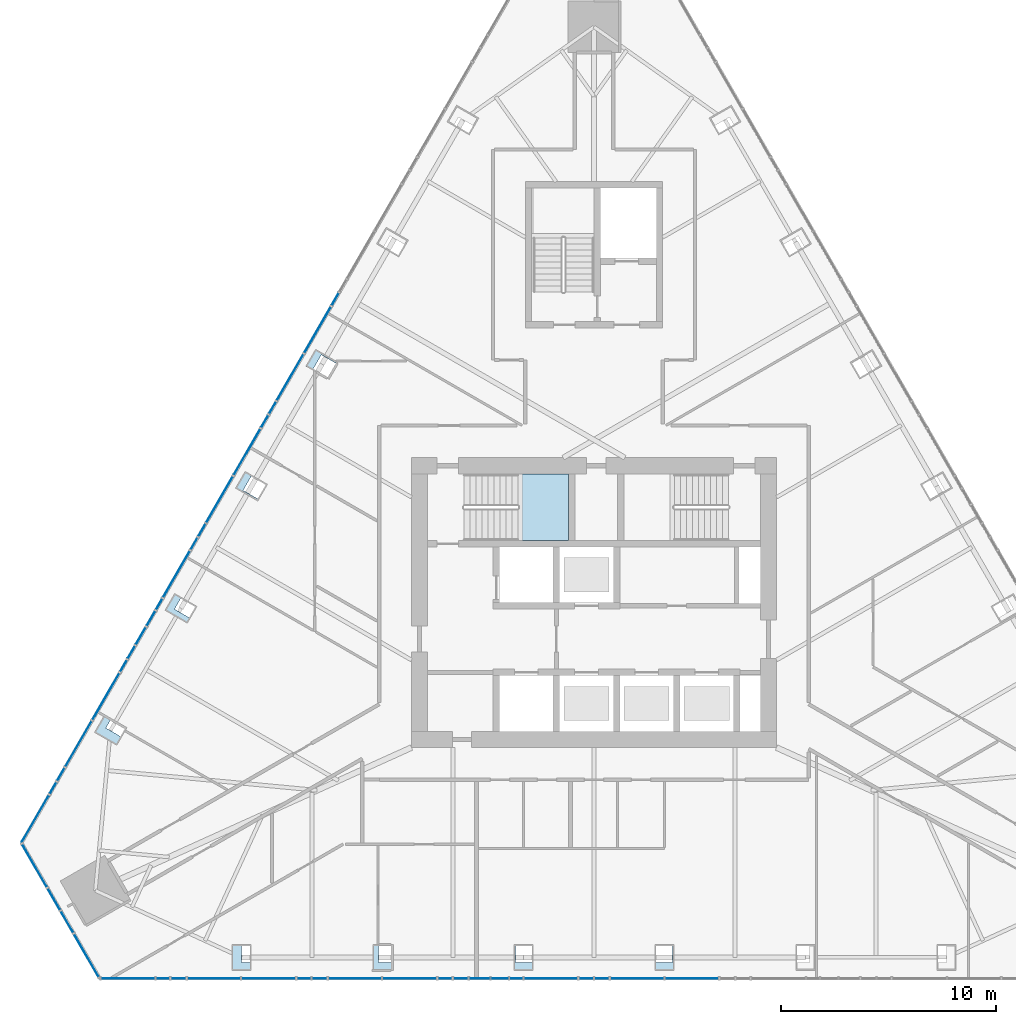
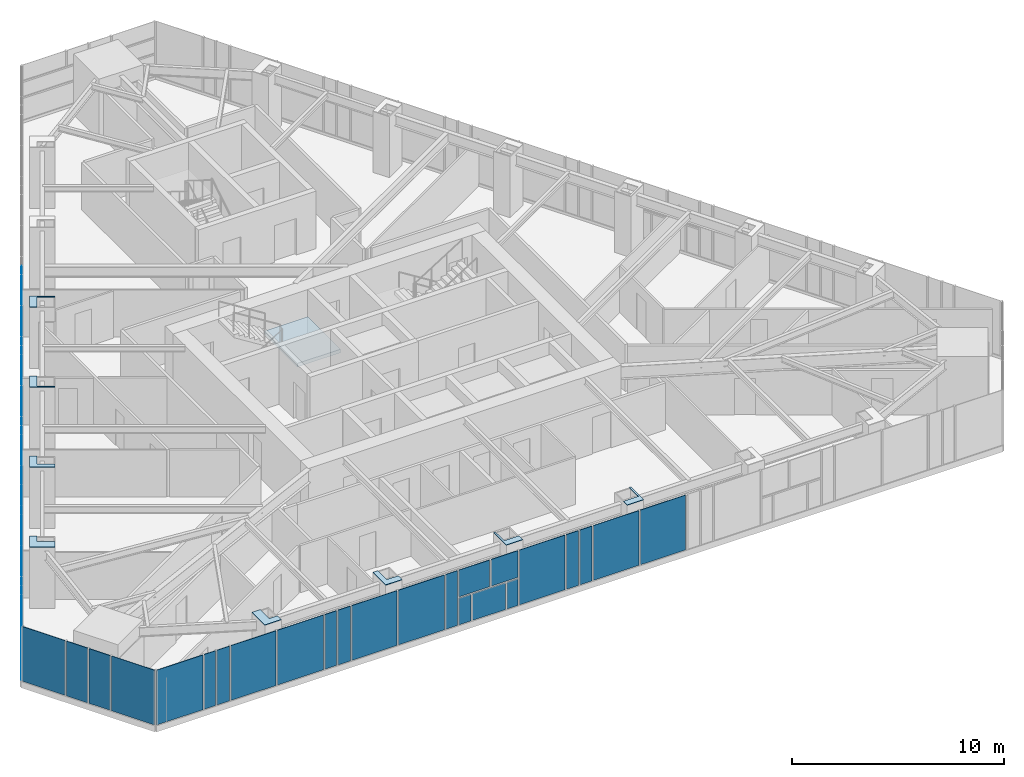
# One storey, part 11 of 20: 53 plates, 1 slab, 4 elements without a shape of their own.
"""IFC4 building model written with IfcOpenShell, lengths in metres."""

from ifc_helpers import new_model, si_unit, direction, frame, origin, place, context, subcontext, project, spatial, polyline, outline, extrude, material, layer, layer_set, type_object, element, aggregate, save


model = new_model("IFC4")

# Units and contexts
model_context = context("Model", 3, precision=1e-05, world=origin(), true_north=direction((0.0, 1.0)))
body_context = subcontext(model_context, "Body", "Model", "MODEL_VIEW")
ifc_project = project(units=[si_unit("LENGTHUNIT", "METRE"), si_unit("AREAUNIT", "SQUARE_METRE"), si_unit("VOLUMEUNIT", "CUBIC_METRE"), si_unit("PLANEANGLEUNIT", "RADIAN"), si_unit("MASSUNIT", "GRAM", prefix="KILO")], contexts=[model_context])

# Site, building, storey
site_placement = place(None, origin())
site = spatial("IfcSite", under=ifc_project, at=site_placement, CompositionType="ELEMENT")
building_placement = place(site_placement, origin())
building = spatial("IfcBuilding", under=site, at=building_placement, Name="Firuza Gate Tower and Library", CompositionType="ELEMENT")
storey_placement = place(building_placement, frame((0.0, 0.0, 277.60009765625)))
storey = spatial("IfcBuildingStorey", under=building, at=storey_placement, Name="L66", CompositionType="ELEMENT", Elevation=277.60009765625)

# Plates
ifc_material_1 = material(Name="Steel S355", Category="steel")
ifc_layer_1 = layer(ifc_material_1, 0.030029296875)
ifc_layer_set_1 = layer_set([ifc_layer_1], Name="Column infill plate 30 Steel S355")
plate_type_1 = type_object("IfcPlateType", Name="Column infill plate 30 Steel S355", PredefinedType="SHEET", material=ifc_layer_set_1)
placement_1 = place(storey_placement, frame((0.0, 0.0, 3.5)))
element("IfcPlate", 1, at=placement_1, inside=storey, type_object=plate_type_1, Name="Infill plate L66:S1", PredefinedType="SHEET", context=body_context, shape_type="SweptSolid", body=[
    extrude(outline(polyline([(59.03662109375, 57.876220703125), (59.03662109375, 58.23193359375), (58.57666015625, 58.23193359375), (58.57666015625, 59.076416015625), (58.13671875, 59.076416015625), (58.13671875, 57.876220703125), (59.03662109375, 57.876220703125)])), origin(), (0.0, 0.0, 1.0), 0.02978515625),
])
element("IfcPlate", 2, at=placement_1, inside=storey, type_object=plate_type_1, Name="Infill plate L66:S2", PredefinedType="SHEET", context=body_context, shape_type="SweptSolid", body=[
    extrude(outline(polyline([(65.60205078125, 57.876220703125), (65.60205078125, 58.23193359375), (64.966064453125, 58.23193359375), (64.966064453125, 59.076416015625), (64.701904296875, 59.076416015625), (64.701904296875, 57.876220703125), (65.60205078125, 57.876220703125)])), origin(), (0.0, 0.0, 1.0), 0.02978515625),
])
element("IfcPlate", 3, at=placement_1, inside=storey, type_object=plate_type_1, Name="Infill plate L66:S3", PredefinedType="SHEET", context=body_context, shape_type="SweptSolid", body=[
    extrude(outline(polyline([(72.167236328125, 57.876220703125), (72.167236328125, 58.23193359375), (71.355224609375, 58.23193359375), (71.355224609375, 59.076416015625), (71.267333984375, 59.076416015625), (71.267333984375, 57.876220703125), (72.167236328125, 57.876220703125)])), origin(), (0.0, 0.0, 1.0), 0.02978515625),
])
element("IfcPlate", 4, at=placement_1, inside=storey, type_object=plate_type_1, Name="Infill plate L66:S4", PredefinedType="SHEET", context=body_context, shape_type="SweptSolid", body=[
    extrude(outline(polyline([(78.732666015625, 59.076416015625), (78.644775390625, 59.076416015625), (78.644775390625, 58.23193359375), (77.832763671875, 58.23193359375), (77.832763671875, 57.876220703125), (78.732666015625, 57.876220703125), (78.732666015625, 59.076416015625)])), origin(), (0.0, 0.0, 1.0), 0.02978515625),
])
element("IfcPlate", 5, at=placement_1, inside=storey, type_object=plate_type_1, Name="Infill plate L66:W3", PredefinedType="SHEET", context=body_context, shape_type="SweptSolid", body=[
    extrude(outline(polyline([(61.5869140625, 86.014892578125), (61.894775390625, 85.837158203125), (62.30078125, 86.540283203125), (63.031982421875, 86.1181640625), (63.075927734375, 86.1943359375), (62.036865234375, 86.79443359375), (61.5869140625, 86.014892578125)])), origin(), (0.0, 0.0, 1.0), 0.02978515625),
])
element("IfcPlate", 6, at=placement_1, inside=storey, type_object=plate_type_1, Name="Infill plate L66:W4", PredefinedType="SHEET", context=body_context, shape_type="SweptSolid", body=[
    extrude(outline(polyline([(59.34326171875, 79.729248046875), (59.387451171875, 79.805419921875), (58.65625, 80.2275390625), (59.062255859375, 80.930908203125), (58.754150390625, 81.108642578125), (58.30419921875, 80.329345703125), (59.34326171875, 79.729248046875)])), origin(), (0.0, 0.0, 1.0), 0.02978515625),
])
element("IfcPlate", 7, at=placement_1, inside=storey, type_object=plate_type_1, Name="Infill plate L66:W5", PredefinedType="SHEET", context=body_context, shape_type="SweptSolid", body=[
    extrude(outline(polyline([(56.060791015625, 74.04345703125), (56.192626953125, 74.272216796875), (55.46142578125, 74.6943359375), (55.779541015625, 75.2451171875), (55.471435546875, 75.4228515625), (55.021484375, 74.6435546875), (56.060791015625, 74.04345703125)])), origin(), (0.0, 0.0, 1.0), 0.02978515625),
])
element("IfcPlate", 8, at=placement_1, inside=storey, type_object=plate_type_1, Name="Infill plate L66:W6", PredefinedType="SHEET", context=body_context, shape_type="SweptSolid", body=[
    extrude(outline(polyline([(52.778076171875, 68.357666015625), (52.998046875, 68.73876953125), (52.266845703125, 69.160888671875), (52.496826171875, 69.559326171875), (52.188720703125, 69.737060546875), (51.73876953125, 68.957763671875), (52.778076171875, 68.357666015625)])), origin(), (0.0, 0.0, 1.0), 0.02978515625),
])

# Curtain wall, plates
ifc_material_2 = material(Name="Aluminium 6063-T6", Category="aluminium")
ifc_layer_2 = layer(ifc_material_2, 0.14990234375)
ifc_layer_set_2 = layer_set([ifc_layer_2], Name="Corner curtain wall, chamfers")
curtain_wall_type_1 = type_object("IfcCurtainWallType", Name="Corner curtain wall, chamfers", PredefinedType="NOTDEFINED", material=ifc_layer_set_2)
placement_2 = place(storey_placement, origin())
curtain_wall_1 = element("IfcCurtainWall", 9, at=placement_2, inside=storey, type_object=curtain_wall_type_1, Name="CW4 L66 SW corner", PredefinedType="NOTDEFINED")
ifc_material_3 = material(Name="Fritted glass", Category="glass")
ifc_layer_3 = layer(ifc_material_3, 0.030029296875)
ifc_layer_set_3 = layer_set([ifc_layer_3], Name="Fritted glass unit, corners")
plate_type_2 = type_object("IfcPlateType", Name="Fritted glass unit, corners", PredefinedType="CURTAIN_PANEL", material=ifc_layer_set_3)
plate_9_placement = place(storey_placement, frame((49.55224609375, 61.6728515625, 0.14990234375), z_axis=(-0.866064577141, -0.499932143616, 0.0), x_axis=(0.499932143616, -0.866064577141, 0.0)))
plate_9 = element("IfcPlate", 10, at=plate_9_placement, type_object=plate_type_2, Name="Glass unit", PredefinedType="CURTAIN_PANEL", context=body_context, shape_type="SweptSolid", body=[
    extrude(outline(polyline([(0.0, 0.0), (1.1422448609608669, 0.0), (1.1422448609608669, 3.14990234375), (0.0, 3.14990234375), (0.0, 0.0)])), origin(), (0.0, 0.0, -1.0), 0.030029296875),
])
plate_10_placement = place(storey_placement, frame((50.163330078125, 60.614501953125, 0.14990234375), z_axis=(-0.866064577141, -0.499932143616, 0.0), x_axis=(0.499932143616, -0.866064577141, 0.0)))
plate_10 = element("IfcPlate", 11, at=plate_10_placement, type_object=plate_type_2, Name="Glass unit", PredefinedType="CURTAIN_PANEL", context=body_context, shape_type="SweptSolid", body=[
    extrude(outline(polyline([(0.0, 0.0), (1.1422448609608669, 0.0), (1.1422448609608669, 3.14990234375), (0.0, 3.14990234375), (0.0, 0.0)])), origin(), (0.0, 0.0, -1.0), 0.030029296875),
])

ifc_material_4 = material(Name="Aluminium 6063-T6", Category="aluminium")
ifc_layer_4 = layer(ifc_material_4, 0.14990234375)
ifc_layer_set_4 = layer_set([ifc_layer_4], Name="Unitised curtain wall, residences")
curtain_wall_type_2 = type_object("IfcCurtainWallType", Name="Unitised curtain wall, residences", PredefinedType="NOTDEFINED", material=ifc_layer_set_4)
curtain_wall_2 = element("IfcCurtainWall", 12, at=placement_2, inside=storey, type_object=curtain_wall_type_2, Name="CW3 L66 S face", PredefinedType="NOTDEFINED")
ifc_material_5 = material(Name="Fritted glass", Category="glass")
ifc_layer_5 = layer(ifc_material_5, 0.030029296875)
ifc_layer_set_5 = layer_set([ifc_layer_5], Name="Fritted glass unit, residences")
plate_type_3 = type_object("IfcPlateType", Name="Fritted glass unit, residences", PredefinedType="CURTAIN_PANEL", material=ifc_layer_set_5)
plate_11_placement = place(storey_placement, frame((54.61376953125, 57.486328125, 0.14990234375), z_axis=(0.0, -1.0, 0.0), x_axis=(1.0, 0.0, 0.0)))
plate_11 = element("IfcPlate", 13, at=plate_11_placement, type_object=plate_type_3, Name="Glass unit", PredefinedType="CURTAIN_PANEL", context=body_context, shape_type="SweptSolid", body=[
    extrude(outline(polyline([(0.0, 0.0), (0.613037109375, 0.0), (0.613037109375, 3.14990234375), (0.0, 3.14990234375), (0.0, 0.0)])), origin(), (0.0, 0.0, -1.0), 0.030029296875),
])
plate_12_placement = place(storey_placement, frame((55.306884765625, 57.486328125, 0.14990234375), z_axis=(0.0, -1.0, 0.0), x_axis=(1.0, 0.0, 0.0)))
plate_12 = element("IfcPlate", 14, at=plate_12_placement, type_object=plate_type_3, Name="Glass unit", PredefinedType="CURTAIN_PANEL", context=body_context, shape_type="SweptSolid", body=[
    extrude(outline(polyline([(0.0, 0.0), (0.687255859375, 0.0), (0.687255859375, 3.14990234375), (0.0, 3.14990234375), (0.0, 0.0)])), origin(), (0.0, 0.0, -1.0), 0.030029296875),
])
plate_13_placement = place(storey_placement, frame((61.17919921875, 57.486328125, 0.14990234375), z_axis=(0.0, -1.0, 0.0), x_axis=(1.0, 0.0, 0.0)))
plate_13 = element("IfcPlate", 15, at=plate_13_placement, type_object=plate_type_3, Name="Glass unit", PredefinedType="CURTAIN_PANEL", context=body_context, shape_type="SweptSolid", body=[
    extrude(outline(polyline([(0.0, 0.0), (0.62548828125, 0.0), (0.62548828125, 3.14990234375), (0.0, 3.14990234375), (0.0, 0.0)])), origin(), (0.0, 0.0, -1.0), 0.030029296875),
])
plate_14_placement = place(storey_placement, frame((61.884521484375, 57.486328125, 0.14990234375), z_axis=(0.0, -1.0, 0.0), x_axis=(1.0, 0.0, 0.0)))
plate_14 = element("IfcPlate", 16, at=plate_14_placement, type_object=plate_type_3, Name="Glass unit", PredefinedType="CURTAIN_PANEL", context=body_context, shape_type="SweptSolid", body=[
    extrude(outline(polyline([(0.0, 0.0), (0.675048828125, 0.0), (0.675048828125, 3.14990234375), (0.0, 3.14990234375), (0.0, 0.0)])), origin(), (0.0, 0.0, -1.0), 0.030029296875),
])
plate_15_placement = place(storey_placement, frame((67.744384765625, 57.486328125, 0.14990234375), z_axis=(0.0, -1.0, 0.0), x_axis=(1.0, 0.0, 0.0)))
plate_15 = element("IfcPlate", 17, at=plate_15_placement, type_object=plate_type_3, Name="Glass unit", PredefinedType="CURTAIN_PANEL", context=body_context, shape_type="SweptSolid", body=[
    extrude(outline(polyline([(0.0, 0.0), (0.637939453125, 0.0), (0.637939453125, 3.14990234375), (0.0, 3.14990234375), (0.0, 0.0)])), origin(), (0.0, 0.0, -1.0), 0.030029296875),
])
plate_16_placement = place(storey_placement, frame((68.46240234375, 57.486328125, 0.14990234375), z_axis=(0.0, -1.0, 0.0), x_axis=(1.0, 0.0, 0.0)))
plate_16 = element("IfcPlate", 18, at=plate_16_placement, type_object=plate_type_3, Name="Glass unit", PredefinedType="CURTAIN_PANEL", context=body_context, shape_type="SweptSolid", body=[
    extrude(outline(polyline([(0.0, 0.0), (0.66259765625, 0.0), (0.66259765625, 1.534912109375), (0.0, 1.534912109375), (0.0, 0.0)])), origin(), (0.0, 0.0, -1.0), 0.030029296875),
])
plate_17_placement = place(storey_placement, frame((71.080322265625, 57.486328125, 0.14990234375), z_axis=(0.0, -1.0, 0.0), x_axis=(1.0, 0.0, 0.0)))
plate_17 = element("IfcPlate", 19, at=plate_17_placement, type_object=plate_type_3, Name="Glass unit", PredefinedType="CURTAIN_PANEL", context=body_context, shape_type="SweptSolid", body=[
    extrude(outline(polyline([(0.0, 0.0), (0.5908203125, 0.0), (0.5908203125, 1.534912109375), (0.0, 1.534912109375), (0.0, 0.0)])), origin(), (0.0, 0.0, -1.0), 0.030029296875),
])
plate_18_placement = place(storey_placement, frame((68.46240234375, 57.486328125, 1.764892578125), z_axis=(0.0, -1.0, 0.0), x_axis=(1.0, 0.0, 0.0)))
plate_18 = element("IfcPlate", 20, at=plate_18_placement, type_object=plate_type_3, Name="Glass unit", PredefinedType="CURTAIN_PANEL", context=body_context, shape_type="SweptSolid", body=[
    extrude(outline(polyline([(0.0, 0.0), (1.67236328125, 0.0), (1.67236328125, 1.534912109375), (0.0, 1.534912109375), (0.0, 0.0)])), origin(), (0.0, 0.0, -1.0), 0.030029296875),
])
plate_19_placement = place(storey_placement, frame((74.309814453125, 57.486328125, 0.14990234375), z_axis=(0.0, -1.0, 0.0), x_axis=(1.0, 0.0, 0.0)))
plate_19 = element("IfcPlate", 21, at=plate_19_placement, type_object=plate_type_3, Name="Glass unit", PredefinedType="CURTAIN_PANEL", context=body_context, shape_type="SweptSolid", body=[
    extrude(outline(polyline([(0.0, 0.0), (0.650146484375, 0.0), (0.650146484375, 3.14990234375), (0.0, 3.14990234375), (0.0, 0.0)])), origin(), (0.0, 0.0, -1.0), 0.030029296875),
])
plate_20_placement = place(storey_placement, frame((75.0400390625, 57.486328125, 0.14990234375), z_axis=(0.0, -1.0, 0.0), x_axis=(1.0, 0.0, 0.0)))
plate_20 = element("IfcPlate", 22, at=plate_20_placement, type_object=plate_type_3, Name="Glass unit", PredefinedType="CURTAIN_PANEL", context=body_context, shape_type="SweptSolid", body=[
    extrude(outline(polyline([(0.0, 0.0), (0.650146484375, 0.0), (0.650146484375, 3.14990234375), (0.0, 3.14990234375), (0.0, 0.0)])), origin(), (0.0, 0.0, -1.0), 0.030029296875),
])

curtain_wall_3 = element("IfcCurtainWall", 23, at=placement_2, inside=storey, type_object=curtain_wall_type_2, Name="CW3 L66 W face", PredefinedType="NOTDEFINED")
plate_21_placement = place(storey_placement, frame((63.1015625, 89.418701171875, 0.14990234375), z_axis=(-0.866081306307, 0.499903161488, 0.0), x_axis=(-0.499903161488, -0.866081306307, 0.0)))
plate_21 = element("IfcPlate", 24, at=plate_21_placement, type_object=plate_type_3, Name="Glass unit", PredefinedType="CURTAIN_PANEL", context=body_context, shape_type="SweptSolid", body=[
    extrude(outline(polyline([(0.0, 0.0), (0.6627260110514617, 0.0), (0.6627260110514617, 3.14990234375), (0.0, 3.14990234375), (0.0, 0.0)])), origin(), (0.0, 0.0, -1.0), 0.030029296875),
])
plate_22_placement = place(storey_placement, frame((60.177734375, 84.3544921875, 0.14990234375), z_axis=(-0.866085525409, 0.49989585183, 0.0), x_axis=(-0.49989585183, -0.866085525409, 0.0)))
plate_22 = element("IfcPlate", 25, at=plate_22_placement, type_object=plate_type_3, Name="Glass unit", PredefinedType="CURTAIN_PANEL", context=body_context, shape_type="SweptSolid", body=[
    extrude(outline(polyline([(0.0, 0.0), (0.650037744233183, 0.0), (0.650037744233183, 3.14990234375), (0.0, 3.14990234375), (0.0, 0.0)])), origin(), (0.0, 0.0, -1.0), 0.030029296875),
])
plate_23_placement = place(storey_placement, frame((59.812744140625, 83.72216796875, 0.14990234375), z_axis=(-0.865922902183, 0.50017749597, 0.0), x_axis=(-0.50017749597, -0.865922902183, 0.0)))
plate_23 = element("IfcPlate", 26, at=plate_23_placement, type_object=plate_type_3, Name="Glass unit", PredefinedType="CURTAIN_PANEL", context=body_context, shape_type="SweptSolid", body=[
    extrude(outline(polyline([(0.0, 0.0), (0.6501598235024999, 0.0), (0.6501598235024999, 3.14990234375), (0.0, 3.14990234375), (0.0, 0.0)])), origin(), (0.0, 0.0, -1.0), 0.030029296875),
])
plate_24_placement = place(storey_placement, frame((56.895263671875, 78.6689453125, 0.14990234375), z_axis=(-0.866081306307, 0.499903161488, 0.0), x_axis=(-0.499903161488, -0.866081306307, 0.0)))
plate_24 = element("IfcPlate", 27, at=plate_24_placement, type_object=plate_type_3, Name="Glass unit", PredefinedType="CURTAIN_PANEL", context=body_context, shape_type="SweptSolid", body=[
    extrude(outline(polyline([(0.0, 0.0), (0.6627260110514617, 0.0), (0.6627260110514617, 3.14990234375), (0.0, 3.14990234375), (0.0, 0.0)])), origin(), (0.0, 0.0, -1.0), 0.030029296875),
])
plate_25_placement = place(storey_placement, frame((56.52392578125, 78.025634765625, 0.14990234375), z_axis=(-0.865854018966, 0.500296729792, 0.0), x_axis=(-0.500296729792, -0.865854018966, 0.0)))
plate_25 = element("IfcPlate", 28, at=plate_25_placement, type_object=plate_type_3, Name="Glass unit", PredefinedType="CURTAIN_PANEL", context=body_context, shape_type="SweptSolid", body=[
    extrude(outline(polyline([(0.0, 0.0), (0.6378050822116818, 0.0), (0.6378050822116818, 3.149902343750001), (0.0, 3.149902343750001), (0.0, 0.0)])), origin(), (0.0, 0.0, -1.0), 0.030029296875),
])
plate_26_placement = place(storey_placement, frame((54.87939453125, 75.177490234375, 0.14990234375), z_axis=(-0.865974735705, 0.50008774942, 0.0), x_axis=(-0.50008774942, -0.865974735705, 0.0)))
plate_26 = element("IfcPlate", 29, at=plate_26_placement, type_object=plate_type_3, Name="Glass unit", PredefinedType="CURTAIN_PANEL", context=body_context, shape_type="SweptSolid", body=[
    extrude(outline(polyline([(0.0, 0.0), (0.5785117531079549, 0.0), (0.5785117531079549, 1.534912109375), (0.0, 1.534912109375), (0.0, 0.0)])), origin(), (0.0, 0.0, -1.0), 0.030029296875),
])
plate_27_placement = place(storey_placement, frame((53.612548828125, 72.983154296875, 0.14990234375), z_axis=(-0.865986868696, 0.500066738792, 0.0), x_axis=(-0.500066738792, -0.865986868696, 0.0)))
plate_27 = element("IfcPlate", 30, at=plate_27_placement, type_object=plate_type_3, Name="Glass unit", PredefinedType="CURTAIN_PANEL", context=body_context, shape_type="SweptSolid", body=[
    extrude(outline(polyline([(0.0, 0.0), (0.675202844305737, 0.0), (0.675202844305737, 1.534912109375), (0.0, 1.534912109375), (0.0, 0.0)])), origin(), (0.0, 0.0, -1.0), 0.030029296875),
])
plate_28_placement = place(storey_placement, frame((54.117431640625, 73.857666015625, 1.764892578125), z_axis=(-0.866014270972, 0.500019282102, 0.0), x_axis=(-0.500019282102, -0.866014270972, 0.0)))
plate_28 = element("IfcPlate", 31, at=plate_28_placement, type_object=plate_type_3, Name="Glass unit", PredefinedType="CURTAIN_PANEL", context=body_context, shape_type="SweptSolid", body=[
    extrude(outline(polyline([(0.0, 0.0), (1.6849936133130663, 0.0), (1.6849936133130663, 1.534912109375), (0.0, 1.534912109375), (0.0, 0.0)])), origin(), (0.0, 0.0, -1.0), 0.030029296875),
])
plate_29_placement = place(storey_placement, frame((53.235107421875, 72.329345703125, 0.14990234375), z_axis=(-0.866049104564, 0.499958946799, 0.0), x_axis=(-0.499958946799, -0.866049104564, 0.0)))
plate_29 = element("IfcPlate", 32, at=plate_29_placement, type_object=plate_type_3, Name="Glass unit", PredefinedType="CURTAIN_PANEL", context=body_context, shape_type="SweptSolid", body=[
    extrude(outline(polyline([(0.0, 0.0), (0.6255396420596755, 0.0), (0.6255396420596755, 3.14990234375), (0.0, 3.14990234375), (0.0, 0.0)])), origin(), (0.0, 0.0, -1.0), 0.030029296875),
])
plate_30_placement = place(storey_placement, frame((50.329833984375, 67.29736328125, 0.14990234375), z_axis=(-0.865960792519, 0.5001118933, 0.0), x_axis=(-0.5001118933, -0.865960792519, 0.0)))
plate_30 = element("IfcPlate", 33, at=plate_30_placement, type_object=plate_type_3, Name="Glass unit", PredefinedType="CURTAIN_PANEL", context=body_context, shape_type="SweptSolid", body=[
    extrude(outline(polyline([(0.0, 0.0), (0.6873461811346134, 0.0), (0.6873461811346134, 3.14990234375), (0.0, 3.14990234375), (0.0, 0.0)])), origin(), (0.0, 0.0, -1.0), 0.030029296875),
])
plate_31_placement = place(storey_placement, frame((49.9462890625, 66.6328125, 0.14990234375), z_axis=(-0.865980029404, 0.500078582497, 0.0), x_axis=(-0.500078582497, -0.865980029404, 0.0)))
plate_31 = element("IfcPlate", 34, at=plate_31_placement, type_object=plate_type_3, Name="Glass unit", PredefinedType="CURTAIN_PANEL", context=body_context, shape_type="SweptSolid", body=[
    extrude(outline(polyline([(0.0, 0.0), (0.6131848788016326, 0.0), (0.6131848788016326, 3.14990234375), (0.0, 3.14990234375), (0.0, 0.0)])), origin(), (0.0, 0.0, -1.0), 0.030029296875),
])

# Plate
ifc_material_6 = material(Name="Glazed ceramic tile")
ifc_layer_6 = layer(ifc_material_6, 0.030029296875)
ifc_layer_set_6 = layer_set([ifc_layer_6], Name="Opaque ceramic panel, corners")
plate_type_4 = type_object("IfcPlateType", Name="Opaque ceramic panel, corners", PredefinedType="CURTAIN_PANEL", material=ifc_layer_set_6)
plate_32_placement = place(storey_placement, frame((48.341796875, 63.76953125, 0.14990234375), z_axis=(-0.866039702589, -0.499975232926, 0.0), x_axis=(0.499975232926, -0.866039702589, 0.0)))
plate_32 = element("IfcPlate", 35, at=plate_32_placement, type_object=plate_type_4, Name="Opaque ceramic panel", PredefinedType="CURTAIN_PANEL", context=body_context, shape_type="SweptSolid", body=[
    extrude(outline(polyline([(0.0, 0.0), (2.340936268785892, 0.0), (2.340936268785892, 3.149902343750001), (0.0, 3.149902343750001), (0.0, 0.0)])), origin(), (0.0, 0.0, -1.0), 0.030029296875),
])

plate_33_placement = place(storey_placement, frame((50.7744140625, 59.555908203125, 0.14990234375), z_axis=(-0.865994543198, -0.500053448294, 0.0), x_axis=(0.500053448294, -0.865994543198, 0.0)))
plate_33 = element("IfcPlate", 36, at=plate_33_placement, type_object=plate_type_4, Name="Opaque ceramic panel", PredefinedType="CURTAIN_PANEL", context=body_context, shape_type="SweptSolid", body=[
    extrude(outline(polyline([(0.0, 0.0), (2.3410583425997658, 0.0), (2.3410583425997658, 3.14990234375), (0.0, 3.14990234375), (0.0, 0.0)])), origin(), (0.0, 0.0, -1.0), 0.030029296875),
])

aggregate(curtain_wall_1, [plate_32, plate_9, plate_10, plate_33])

ifc_material_7 = material(Name="Glazed ceramic tile")
ifc_layer_7 = layer(ifc_material_7, 0.030029296875)
ifc_layer_set_7 = layer_set([ifc_layer_7], Name="Opaque ceramic panel, residences")
plate_type_5 = type_object("IfcPlateType", Name="Opaque ceramic panel, residences", PredefinedType="CURTAIN_PANEL", material=ifc_layer_set_7)
plate_34_placement = place(storey_placement, frame((52.01806640625, 57.486328125, 0.14990234375), z_axis=(0.0, -1.0, 0.0), x_axis=(1.0, 0.0, 0.0)))
plate_34 = element("IfcPlate", 37, at=plate_34_placement, type_object=plate_type_5, Name="Opaque ceramic panel", PredefinedType="CURTAIN_PANEL", context=body_context, shape_type="SweptSolid", body=[
    extrude(outline(polyline([(0.0, 0.0), (2.515625, 0.0), (2.515625, 3.14990234375), (0.0, 3.14990234375), (0.0, 0.0)])), origin(), (0.0, 0.0, -1.0), 0.030029296875),
])

plate_35_placement = place(storey_placement, frame((56.07421875, 57.486328125, 0.14990234375), z_axis=(0.0, -1.0, 0.0), x_axis=(1.0, 0.0, 0.0)))
plate_35 = element("IfcPlate", 38, at=plate_35_placement, type_object=plate_type_5, Name="Opaque ceramic panel", PredefinedType="CURTAIN_PANEL", context=body_context, shape_type="SweptSolid", body=[
    extrude(outline(polyline([(0.0, 0.0), (2.44140625, 0.0), (2.44140625, 3.14990234375), (0.0, 3.14990234375), (0.0, 0.0)])), origin(), (0.0, 0.0, -1.0), 0.030029296875),
])

plate_36_placement = place(storey_placement, frame((58.595703125, 57.486328125, 0.14990234375), z_axis=(0.0, -1.0, 0.0), x_axis=(1.0, 0.0, 0.0)))
plate_36 = element("IfcPlate", 39, at=plate_36_placement, type_object=plate_type_5, Name="Opaque ceramic panel", PredefinedType="CURTAIN_PANEL", context=body_context, shape_type="SweptSolid", body=[
    extrude(outline(polyline([(0.0, 0.0), (2.50341796875, 0.0), (2.50341796875, 3.14990234375), (0.0, 3.14990234375), (0.0, 0.0)])), origin(), (0.0, 0.0, -1.0), 0.030029296875),
])

plate_37_placement = place(storey_placement, frame((62.6396484375, 57.486328125, 0.14990234375), z_axis=(0.0, -1.0, 0.0), x_axis=(1.0, 0.0, 0.0)))
plate_37 = element("IfcPlate", 40, at=plate_37_placement, type_object=plate_type_5, Name="Opaque ceramic panel", PredefinedType="CURTAIN_PANEL", context=body_context, shape_type="SweptSolid", body=[
    extrude(outline(polyline([(0.0, 0.0), (2.453857421875, 0.0), (2.453857421875, 3.14990234375), (0.0, 3.14990234375), (0.0, 0.0)])), origin(), (0.0, 0.0, -1.0), 0.030029296875),
])

plate_38_placement = place(storey_placement, frame((65.17333984375, 57.486328125, 0.14990234375), z_axis=(0.0, -1.0, 0.0), x_axis=(1.0, 0.0, 0.0)))
plate_38 = element("IfcPlate", 41, at=plate_38_placement, type_object=plate_type_5, Name="Opaque ceramic panel", PredefinedType="CURTAIN_PANEL", context=body_context, shape_type="SweptSolid", body=[
    extrude(outline(polyline([(0.0, 0.0), (2.4912109375, 0.0), (2.4912109375, 3.14990234375), (0.0, 3.14990234375), (0.0, 0.0)])), origin(), (0.0, 0.0, -1.0), 0.030029296875),
])

plate_39_placement = place(storey_placement, frame((69.204833984375, 57.486328125, 0.14990234375), z_axis=(0.0, -1.0, 0.0), x_axis=(1.0, 0.0, 0.0)))
plate_39 = element("IfcPlate", 42, at=plate_39_placement, type_object=plate_type_5, Name="Opaque ceramic panel", PredefinedType="CURTAIN_PANEL", context=body_context, shape_type="SweptSolid", body=[
    extrude(outline(polyline([(0.0, 0.0), (1.79541015625, 0.0), (1.79541015625, 1.534912109375), (0.0, 1.534912109375), (0.0, 0.0)])), origin(), (0.0, 0.0, -1.0), 0.030029296875),
])

plate_40_placement = place(storey_placement, frame((70.214599609375, 57.486328125, 1.764892578125), z_axis=(0.0, -1.0, 0.0), x_axis=(1.0, 0.0, 0.0)))
plate_40 = element("IfcPlate", 43, at=plate_40_placement, type_object=plate_type_5, Name="Opaque ceramic panel", PredefinedType="CURTAIN_PANEL", context=body_context, shape_type="SweptSolid", body=[
    extrude(outline(polyline([(0.0, 0.0), (1.45654296875, 0.0), (1.45654296875, 1.534912109375), (0.0, 1.534912109375), (0.0, 0.0)])), origin(), (0.0, 0.0, -1.0), 0.030029296875),
])

plate_41_placement = place(storey_placement, frame((71.751220703125, 57.486328125, 0.14990234375), z_axis=(0.0, -1.0, 0.0), x_axis=(1.0, 0.0, 0.0)))
plate_41 = element("IfcPlate", 44, at=plate_41_placement, type_object=plate_type_5, Name="Opaque ceramic panel", PredefinedType="CURTAIN_PANEL", context=body_context, shape_type="SweptSolid", body=[
    extrude(outline(polyline([(0.0, 0.0), (2.478515625, 0.0), (2.478515625, 3.14990234375), (0.0, 3.14990234375), (0.0, 0.0)])), origin(), (0.0, 0.0, -1.0), 0.030029296875),
])

plate_42_placement = place(storey_placement, frame((75.770263671875, 57.486328125, 0.14990234375), z_axis=(0.0, -1.0, 0.0), x_axis=(1.0, 0.0, 0.0)))
plate_42 = element("IfcPlate", 45, at=plate_42_placement, type_object=plate_type_5, Name="Opaque ceramic panel", PredefinedType="CURTAIN_PANEL", context=body_context, shape_type="SweptSolid", body=[
    extrude(outline(polyline([(0.0, 0.0), (2.478515625, 0.0), (2.478515625, 3.14990234375), (0.0, 3.14990234375), (0.0, 0.0)])), origin(), (0.0, 0.0, -1.0), 0.030029296875),
])

plate_43_placement = place(storey_placement, frame((78.328857421875, 57.486328125, 0.14990234375), z_axis=(0.0, -1.0, 0.0), x_axis=(1.0, 0.0, 0.0)))
plate_43 = element("IfcPlate", 46, at=plate_43_placement, type_object=plate_type_5, Name="Opaque ceramic panel", PredefinedType="CURTAIN_PANEL", context=body_context, shape_type="SweptSolid", body=[
    extrude(outline(polyline([(0.0, 0.0), (2.46630859375, 0.0), (2.46630859375, 3.14990234375), (0.0, 3.14990234375), (0.0, 0.0)])), origin(), (0.0, 0.0, -1.0), 0.030029296875),
])

aggregate(curtain_wall_2, [plate_34, plate_11, plate_12, plate_35, plate_36, plate_13, plate_14, plate_37, plate_38, plate_15, plate_16, plate_39, plate_17, plate_18, plate_40, plate_41, plate_19, plate_20, plate_42, plate_43])

plate_44_placement = place(storey_placement, frame((62.730224609375, 88.775634765625, 0.14990234375), z_axis=(-0.86603558368, 0.49998236749, 0.0), x_axis=(-0.49998236749, -0.86603558368, 0.0)))
plate_44 = element("IfcPlate", 47, at=plate_44_placement, type_object=plate_type_5, Name="Opaque ceramic panel", PredefinedType="CURTAIN_PANEL", context=body_context, shape_type="SweptSolid", body=[
    extrude(outline(polyline([(0.0, 0.0), (2.466395571241198, 0.0), (2.466395571241198, 3.14990234375), (0.0, 3.14990234375), (0.0, 0.0)])), origin(), (0.0, 0.0, -1.0), 0.030029296875),
])

plate_45_placement = place(storey_placement, frame((61.45703125, 86.5703125, 0.14990234375), z_axis=(-0.866028115054, 0.499995303914, 0.0), x_axis=(-0.499995303914, -0.866028115054, 0.0)))
plate_45 = element("IfcPlate", 48, at=plate_45_placement, type_object=plate_type_5, Name="Opaque ceramic panel", PredefinedType="CURTAIN_PANEL", context=body_context, shape_type="SweptSolid", body=[
    extrude(outline(polyline([(0.0, 0.0), (2.478538903862803, 0.0), (2.478538903862803, 3.14990234375), (0.0, 3.14990234375), (0.0, 0.0)])), origin(), (0.0, 0.0, -1.0), 0.030029296875),
])

plate_46_placement = place(storey_placement, frame((59.447509765625, 83.08984375, 0.14990234375), z_axis=(-0.866028115054, 0.499995303914, 0.0), x_axis=(-0.499995303914, -0.866028115054, 0.0)))
plate_46 = element("IfcPlate", 49, at=plate_46_placement, type_object=plate_type_5, Name="Opaque ceramic panel", PredefinedType="CURTAIN_PANEL", context=body_context, shape_type="SweptSolid", body=[
    extrude(outline(polyline([(0.0, 0.0), (2.478538903862803, 0.0), (2.478538903862803, 3.14990234375), (0.0, 3.14990234375), (0.0, 0.0)])), origin(), (0.0, 0.0, -1.0), 0.030029296875),
])

plate_47_placement = place(storey_placement, frame((58.168212890625, 80.8740234375, 0.14990234375), z_axis=(-0.86603558368, 0.49998236749, 0.0), x_axis=(-0.49998236749, -0.86603558368, 0.0)))
plate_47 = element("IfcPlate", 50, at=plate_47_placement, type_object=plate_type_5, Name="Opaque ceramic panel", PredefinedType="CURTAIN_PANEL", context=body_context, shape_type="SweptSolid", body=[
    extrude(outline(polyline([(0.0, 0.0), (2.466395571241198, 0.0), (2.466395571241198, 3.14990234375), (0.0, 3.14990234375), (0.0, 0.0)])), origin(), (0.0, 0.0, -1.0), 0.030029296875),
])

plate_48_placement = place(storey_placement, frame((56.1650390625, 77.404052734375, 0.14990234375), z_axis=(-0.866002782049, 0.500039179948, 0.0), x_axis=(-0.500039179948, -0.866002782049, 0.0)))
plate_48 = element("IfcPlate", 51, at=plate_48_placement, type_object=plate_type_5, Name="Opaque ceramic panel", PredefinedType="CURTAIN_PANEL", context=body_context, shape_type="SweptSolid", body=[
    extrude(outline(polyline([(0.0, 0.0), (2.4910157417678986, 0.0), (2.4910157417678986, 3.14990234375), (0.0, 3.14990234375), (0.0, 0.0)])), origin(), (0.0, 0.0, -1.0), 0.030029296875),
])

plate_49_placement = place(storey_placement, frame((54.55029296875, 74.607177734375, 0.14990234375), z_axis=(-0.865999876214, 0.500044212443, 0.0), x_axis=(-0.500044212443, -0.865999876214, 0.0)))
plate_49 = element("IfcPlate", 52, at=plate_49_placement, type_object=plate_type_5, Name="Opaque ceramic panel", PredefinedType="CURTAIN_PANEL", context=body_context, shape_type="SweptSolid", body=[
    extrude(outline(polyline([(0.0, 0.0), (1.7952514113481883, 0.0), (1.7952514113481883, 1.534912109375), (0.0, 1.534912109375), (0.0, 0.0)])), origin(), (0.0, 0.0, -1.0), 0.030029296875),
])

plate_50_placement = place(storey_placement, frame((54.87939453125, 75.177490234375, 1.764892578125), z_axis=(-0.866039173598, 0.499976149225, 0.0), x_axis=(-0.499976149225, -0.866039173598, 0.0)))
plate_50 = element("IfcPlate", 53, at=plate_50_placement, type_object=plate_type_5, Name="Opaque ceramic panel", PredefinedType="CURTAIN_PANEL", context=body_context, shape_type="SweptSolid", body=[
    extrude(outline(polyline([(0.0, 0.0), (1.4439165333073216, 0.0), (1.4439165333073216, 1.534912109375), (0.0, 1.534912109375), (0.0, 0.0)])), origin(), (0.0, 0.0, -1.0), 0.030029296875),
])

plate_51_placement = place(storey_placement, frame((52.88232421875, 71.71826171875, 0.14990234375), z_axis=(-0.866019930389, 0.500009480079, 0.0), x_axis=(-0.500009480079, -0.866019930389, 0.0)))
plate_51 = element("IfcPlate", 54, at=plate_51_placement, type_object=plate_type_5, Name="Opaque ceramic panel", PredefinedType="CURTAIN_PANEL", context=body_context, shape_type="SweptSolid", body=[
    extrude(outline(polyline([(0.0, 0.0), (2.5033705044482844, 0.0), (2.5033705044482844, 3.14990234375), (0.0, 3.14990234375), (0.0, 0.0)])), origin(), (0.0, 0.0, -1.0), 0.030029296875),
])

plate_52_placement = place(storey_placement, frame((51.590576171875, 69.48095703125, 0.14990234375), z_axis=(-0.866019052629, 0.500011000363, 0.0), x_axis=(-0.500011000363, -0.866019052629, 0.0)))
plate_52 = element("IfcPlate", 55, at=plate_52_placement, type_object=plate_type_5, Name="Opaque ceramic panel", PredefinedType="CURTAIN_PANEL", context=body_context, shape_type="SweptSolid", body=[
    extrude(outline(polyline([(0.0, 0.0), (2.441352538471667, 0.0), (2.441352538471667, 3.149902343750001), (0.0, 3.149902343750001), (0.0, 0.0)])), origin(), (0.0, 0.0, -1.0), 0.030029296875),
])

plate_53_placement = place(storey_placement, frame((49.599609375, 66.032470703125, 0.14990234375), z_axis=(-0.866036909293, 0.499980071345, 0.0), x_axis=(-0.499980071345, -0.866036909293, 0.0)))
plate_53 = element("IfcPlate", 56, at=plate_53_placement, type_object=plate_type_5, Name="Opaque ceramic panel", PredefinedType="CURTAIN_PANEL", context=body_context, shape_type="SweptSolid", body=[
    extrude(outline(polyline([(0.0, 0.0), (2.5157252700440838, 0.0), (2.5157252700440838, 3.1499023437499996), (0.0, 3.1499023437499996), (0.0, 0.0)])), origin(), (0.0, 0.0, -1.0), 0.030029296875),
])

aggregate(curtain_wall_3, [plate_21, plate_44, plate_45, plate_22, plate_23, plate_46, plate_47, plate_24, plate_25, plate_48, plate_26, plate_49, plate_27, plate_50, plate_28, plate_29, plate_51, plate_52, plate_30, plate_31, plate_53])

# Stair, slab
ifc_material_8 = material(Name="Concrete C35/45", Category="concrete")
stair_type = type_object("IfcStairType", Name="Exit stair ST8", PredefinedType="HALF_TURN_STAIR", material=ifc_material_8)
stair = element("IfcStair", 57, at=placement_2, inside=storey, type_object=stair_type, Name="L66 Stair ST1", PredefinedType="HALF_TURN_STAIR")
ifc_material_9 = material(Name="Concrete C35/45", Category="concrete")
ifc_layer_8 = layer(ifc_material_9, 0.199951171875)
ifc_layer_set_8 = layer_set([ifc_layer_8], Name="Stair landing 200")
slab_type = type_object("IfcSlabType", Name="Stair landing 200", PredefinedType="LANDING", material=ifc_layer_set_8)
slab_placement = place(storey_placement, frame((0.0, 0.0, 1.5498046875)))
slab = element("IfcSlab", 58, at=slab_placement, type_object=slab_type, Name="ST1 landing 1", PredefinedType="LANDING", context=body_context, shape_type="SweptSolid", body=[
    extrude(outline(polyline([(71.4599609375, 77.89990234375), (73.81005859375, 77.89990234375), (73.81005859375, 80.97998046875), (71.4599609375, 80.97998046875), (71.4599609375, 77.89990234375)])), origin(), (0.0, 0.0, 1.0), 0.2001953125),
])
aggregate(stair, [slab])

save(model, "model.ifc")
